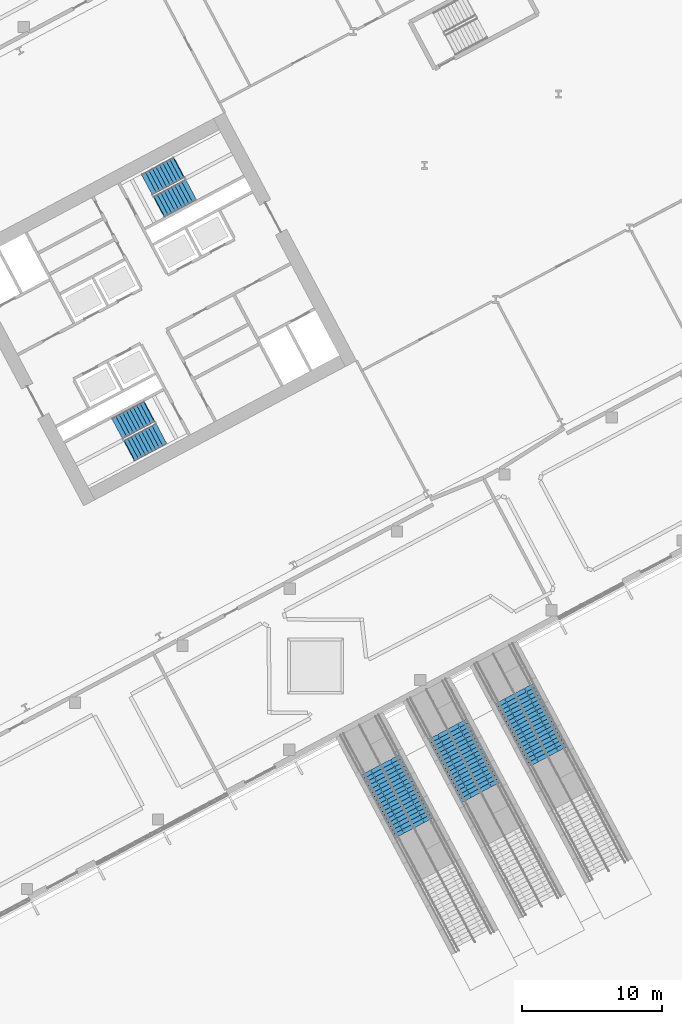
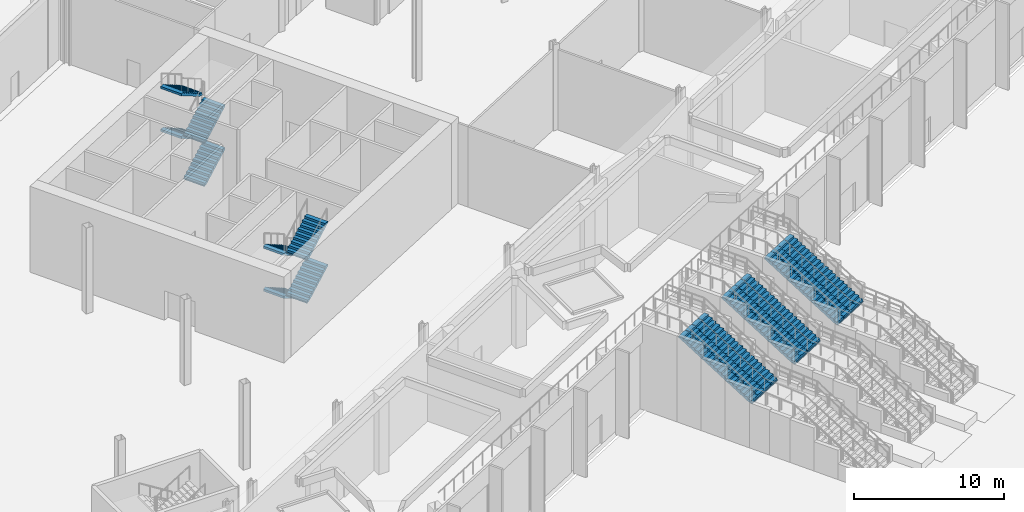
# One storey, part 35 of 57: 11 stair flights, 5 elements without a shape of their own.
"""IFC4 building model written with IfcOpenShell, lengths in metres."""

from ifc_helpers import new_model, si_unit, direction, frame, origin, place, context, subcontext, project, spatial, polyline, outline, extrude, material, layer, layer_set, type_object, element, aggregate, save


model = new_model("IFC4")

# Units and contexts
model_context = context("Model", 3, precision=1e-05, world=origin(), true_north=direction((0.0, 1.0)))
body_context = subcontext(model_context, "Body", "Model", "MODEL_VIEW")
ifc_project = project(units=[si_unit("LENGTHUNIT", "METRE"), si_unit("AREAUNIT", "SQUARE_METRE"), si_unit("VOLUMEUNIT", "CUBIC_METRE"), si_unit("PLANEANGLEUNIT", "RADIAN"), si_unit("MASSUNIT", "GRAM", prefix="KILO")], contexts=[model_context])

# Site, building, storey
site_placement = place(None, origin())
site = spatial("IfcSite", under=ifc_project, at=site_placement, CompositionType="ELEMENT")
building_placement = place(site_placement, origin())
building = spatial("IfcBuilding", under=site, at=building_placement, Name="Cormorant Relay Tower", CompositionType="ELEMENT")
storey_placement = place(building_placement, origin())
storey = spatial("IfcBuildingStorey", under=building, at=storey_placement, Name="L00", CompositionType="ELEMENT", Elevation=0.0)

# Stair, stair flights
ifc_material_1 = material(Name="Concrete 40 MPa", Category="concrete")
stair_type_1 = type_object("IfcStairType", Name="Exit stair 1500", PredefinedType="HALF_TURN_STAIR", material=ifc_material_1)
stair_1_placement = place(storey_placement, origin())
stair_1 = element("IfcStair", 1, at=stair_1_placement, inside=storey, type_object=stair_type_1, Name="L00 Stair", PredefinedType="HALF_TURN_STAIR")
ifc_material_2 = material(Name="Concrete 40 MPa", Category="concrete")
stair_flight_type_1 = type_object("IfcStairFlightType", Name="Exit stair flight 1650", PredefinedType="STRAIGHT", material=ifc_material_2)
stair_flight_1_placement = place(storey_placement, frame((23.474365234375, 5.374755859375, 0.0), z_axis=(0.0, 0.0, 1.0), x_axis=(-0.882947592859, -0.469471562786, 0.0)))
stair_flight_1 = element("IfcStairFlight", 2, at=stair_flight_1_placement, type_object=stair_flight_type_1, Name="B1 flight 1", NumberOfRisers=10, NumberOfTreads=9, PredefinedType="STRAIGHT", RiserHeight=0.175, TreadLength=0.28, context=body_context, shape_type="SweptSolid", body=[
    extrude(outline(polyline([(-0.050048828125, -0.080078125), (-0.050048828125, 0.0), (0.0, 0.0), (0.0, 0.175048828125), (0.280029296875, 0.175048828125), (0.280029296875, 0.35009765625), (0.56005859375, 0.35009765625), (0.56005859375, 0.52490234375), (0.840087890625, 0.52490234375), (0.840087890625, 0.699951171875), (1.1201171875, 0.699951171875), (1.1201171875, 0.875), (1.39990234375, 0.875), (1.39990234375, 1.050048828125), (1.679931640625, 1.050048828125), (1.679931640625, 1.22509765625), (1.9599609375, 1.22509765625), (1.9599609375, 1.39990234375), (2.239990234375, 1.39990234375), (2.239990234375, 1.574951171875), (2.52001953125, 1.574951171875), (2.570068359375, 1.574951171875), (2.570068359375, 1.398193359375), (2.52001953125, 1.398193359375), (0.28271484375, 0.0), (-0.050048828125, -0.080078125)])), frame((0.0, 0.824951171875, 0.0), z_axis=(0.0, -1.0, 0.0), x_axis=(1.0, 0.0, 0.0)), (0.0, 0.0, 1.0), 1.64990234375),
])
stair_flight_2_placement = place(storey_placement, frame((22.094482421875, 2.602294921875, 1.75), z_axis=(0.0, 0.0, 1.0), x_axis=(0.882947592859, 0.469471562786, 0.0)))
stair_flight_2 = element("IfcStairFlight", 3, at=stair_flight_2_placement, type_object=stair_flight_type_1, Name="B1 flight 2", NumberOfRisers=10, NumberOfTreads=9, PredefinedType="STRAIGHT", RiserHeight=0.175, TreadLength=0.28, context=body_context, shape_type="SweptSolid", body=[
    extrude(outline(polyline([(-0.050048828125, -0.080078125), (-0.050048828125, 0.0), (0.0, 0.0), (0.0, 0.175048828125), (0.280029296875, 0.175048828125), (0.280029296875, 0.35009765625), (0.56005859375, 0.35009765625), (0.56005859375, 0.52490234375), (0.840087890625, 0.52490234375), (0.840087890625, 0.699951171875), (1.1201171875, 0.699951171875), (1.1201171875, 0.875), (1.39990234375, 0.875), (1.39990234375, 1.050048828125), (1.679931640625, 1.050048828125), (1.679931640625, 1.22509765625), (1.9599609375, 1.22509765625), (1.9599609375, 1.39990234375), (2.239990234375, 1.39990234375), (2.239990234375, 1.574951171875), (2.52001953125, 1.574951171875), (2.570068359375, 1.574951171875), (2.570068359375, 1.398193359375), (2.52001953125, 1.398193359375), (0.28271484375, 0.0), (-0.050048828125, -0.080078125)])), frame((0.0, 0.824951171875, 0.0), z_axis=(0.0, -1.0, 0.0), x_axis=(1.0, 0.0, 0.0)), (0.0, 0.0, 1.0), 1.64990234375),
])
stair_flight_3_placement = place(storey_placement, frame((23.474365234375, 5.374755859375, 3.5), z_axis=(0.0, 0.0, 1.0), x_axis=(-0.882947592859, -0.469471562786, 0.0)))
stair_flight_3 = element("IfcStairFlight", 4, at=stair_flight_3_placement, type_object=stair_flight_type_1, Name="B1 flight 3", NumberOfRisers=10, NumberOfTreads=9, PredefinedType="STRAIGHT", RiserHeight=0.175, TreadLength=0.28, context=body_context, shape_type="SweptSolid", body=[
    extrude(outline(polyline([(-0.050048828125, -0.080078125), (-0.050048828125, 0.0), (0.0, 0.0), (0.0, 0.175048828125), (0.280029296875, 0.175048828125), (0.280029296875, 0.35009765625), (0.56005859375, 0.35009765625), (0.56005859375, 0.52490234375), (0.840087890625, 0.52490234375), (0.840087890625, 0.699951171875), (1.1201171875, 0.699951171875), (1.1201171875, 0.875), (1.39990234375, 0.875), (1.39990234375, 1.050048828125), (1.679931640625, 1.050048828125), (1.679931640625, 1.22509765625), (1.9599609375, 1.22509765625), (1.9599609375, 1.39990234375), (2.239990234375, 1.39990234375), (2.239990234375, 1.574951171875), (2.52001953125, 1.574951171875), (2.570068359375, 1.574951171875), (2.570068359375, 1.398193359375), (2.52001953125, 1.398193359375), (0.28271484375, 0.0), (-0.050048828125, -0.080078125)])), frame((0.0, 0.824951171875, 0.0), z_axis=(0.0, -1.0, 0.0), x_axis=(1.0, 0.0, 0.0)), (0.0, 0.0, 1.0), 1.64990234375),
])
stair_flight_4_placement = place(storey_placement, frame((22.094482421875, 2.602294921875, 5.25), z_axis=(0.0, 0.0, 1.0), x_axis=(0.882947592859, 0.469471562786, 0.0)))
stair_flight_4 = element("IfcStairFlight", 5, at=stair_flight_4_placement, type_object=stair_flight_type_1, Name="B1 flight 4", NumberOfRisers=10, NumberOfTreads=9, PredefinedType="STRAIGHT", RiserHeight=0.175, TreadLength=0.28, context=body_context, shape_type="SweptSolid", body=[
    extrude(outline(polyline([(-0.050048828125, -0.080078125), (-0.050048828125, 0.0), (0.0, 0.0), (0.0, 0.175048828125), (0.280029296875, 0.175048828125), (0.280029296875, 0.35009765625), (0.56005859375, 0.35009765625), (0.56005859375, 0.52490234375), (0.840087890625, 0.52490234375), (0.840087890625, 0.699951171875), (1.1201171875, 0.699951171875), (1.1201171875, 0.875), (1.39990234375, 0.875), (1.39990234375, 1.050048828125), (1.679931640625, 1.050048828125), (1.679931640625, 1.22509765625), (1.9599609375, 1.22509765625), (1.9599609375, 1.39990234375), (2.239990234375, 1.39990234375), (2.239990234375, 1.574951171875), (2.52001953125, 1.574951171875), (2.570068359375, 1.574951171875), (2.570068359375, 1.398193359375), (2.52001953125, 1.398193359375), (0.28271484375, 0.0), (-0.050048828125, -0.080078125)])), frame((0.0, 0.824951171875, 0.0), z_axis=(0.0, -1.0, 0.0), x_axis=(1.0, 0.0, 0.0)), (0.0, 0.0, 1.0), 1.64990234375),
])
aggregate(stair_1, [stair_flight_1, stair_flight_2, stair_flight_3, stair_flight_4])

stair_2_placement = place(storey_placement, origin())
stair_2 = element("IfcStair", 6, at=stair_2_placement, inside=storey, type_object=stair_type_1, Name="L00 Stair", PredefinedType="HALF_TURN_STAIR")
stair_flight_5_placement = place(storey_placement, frame((24.20458984375, 19.976806640625, 0.0), z_axis=(0.0, 0.0, 1.0), x_axis=(0.882947592859, 0.469471562786, 0.0)))
stair_flight_5 = element("IfcStairFlight", 7, at=stair_flight_5_placement, type_object=stair_flight_type_1, Name="B2 flight 1", NumberOfRisers=10, NumberOfTreads=9, PredefinedType="STRAIGHT", RiserHeight=0.175, TreadLength=0.28, context=body_context, shape_type="SweptSolid", body=[
    extrude(outline(polyline([(-0.050048828125, -0.080078125), (-0.050048828125, 0.0), (0.0, 0.0), (0.0, 0.175048828125), (0.280029296875, 0.175048828125), (0.280029296875, 0.35009765625), (0.56005859375, 0.35009765625), (0.56005859375, 0.52490234375), (0.840087890625, 0.52490234375), (0.840087890625, 0.699951171875), (1.1201171875, 0.699951171875), (1.1201171875, 0.875), (1.39990234375, 0.875), (1.39990234375, 1.050048828125), (1.679931640625, 1.050048828125), (1.679931640625, 1.22509765625), (1.9599609375, 1.22509765625), (1.9599609375, 1.39990234375), (2.239990234375, 1.39990234375), (2.239990234375, 1.574951171875), (2.52001953125, 1.574951171875), (2.570068359375, 1.574951171875), (2.570068359375, 1.398193359375), (2.52001953125, 1.398193359375), (0.28271484375, 0.0), (-0.050048828125, -0.080078125)])), frame((0.0, 0.824951171875, 0.0), z_axis=(0.0, -1.0, 0.0), x_axis=(1.0, 0.0, 0.0)), (0.0, 0.0, 1.0), 1.64990234375),
])
stair_flight_6_placement = place(storey_placement, frame((25.584716796875, 22.7490234375, 1.75), z_axis=(0.0, 0.0, 1.0), x_axis=(-0.882947592859, -0.469471562786, 0.0)))
stair_flight_6 = element("IfcStairFlight", 8, at=stair_flight_6_placement, type_object=stair_flight_type_1, Name="B2 flight 2", NumberOfRisers=10, NumberOfTreads=9, PredefinedType="STRAIGHT", RiserHeight=0.175, TreadLength=0.28, context=body_context, shape_type="SweptSolid", body=[
    extrude(outline(polyline([(-0.050048828125, -0.080078125), (-0.050048828125, 0.0), (0.0, 0.0), (0.0, 0.175048828125), (0.280029296875, 0.175048828125), (0.280029296875, 0.35009765625), (0.56005859375, 0.35009765625), (0.56005859375, 0.52490234375), (0.840087890625, 0.52490234375), (0.840087890625, 0.699951171875), (1.1201171875, 0.699951171875), (1.1201171875, 0.875), (1.39990234375, 0.875), (1.39990234375, 1.050048828125), (1.679931640625, 1.050048828125), (1.679931640625, 1.22509765625), (1.9599609375, 1.22509765625), (1.9599609375, 1.39990234375), (2.239990234375, 1.39990234375), (2.239990234375, 1.574951171875), (2.52001953125, 1.574951171875), (2.570068359375, 1.574951171875), (2.570068359375, 1.398193359375), (2.52001953125, 1.398193359375), (0.28271484375, 0.0), (-0.050048828125, -0.080078125)])), frame((0.0, 0.824951171875, 0.0), z_axis=(0.0, -1.0, 0.0), x_axis=(1.0, 0.0, 0.0)), (0.0, 0.0, 1.0), 1.64990234375),
])
stair_flight_7_placement = place(storey_placement, frame((24.20458984375, 19.976806640625, 3.5), z_axis=(0.0, 0.0, 1.0), x_axis=(0.882947592859, 0.469471562786, 0.0)))
stair_flight_7 = element("IfcStairFlight", 9, at=stair_flight_7_placement, type_object=stair_flight_type_1, Name="B2 flight 3", NumberOfRisers=10, NumberOfTreads=9, PredefinedType="STRAIGHT", RiserHeight=0.175, TreadLength=0.28, context=body_context, shape_type="SweptSolid", body=[
    extrude(outline(polyline([(-0.050048828125, -0.080078125), (-0.050048828125, 0.0), (0.0, 0.0), (0.0, 0.175048828125), (0.280029296875, 0.175048828125), (0.280029296875, 0.35009765625), (0.56005859375, 0.35009765625), (0.56005859375, 0.52490234375), (0.840087890625, 0.52490234375), (0.840087890625, 0.699951171875), (1.1201171875, 0.699951171875), (1.1201171875, 0.875), (1.39990234375, 0.875), (1.39990234375, 1.050048828125), (1.679931640625, 1.050048828125), (1.679931640625, 1.22509765625), (1.9599609375, 1.22509765625), (1.9599609375, 1.39990234375), (2.239990234375, 1.39990234375), (2.239990234375, 1.574951171875), (2.52001953125, 1.574951171875), (2.570068359375, 1.574951171875), (2.570068359375, 1.398193359375), (2.52001953125, 1.398193359375), (0.28271484375, 0.0), (-0.050048828125, -0.080078125)])), frame((0.0, 0.824951171875, 0.0), z_axis=(0.0, -1.0, 0.0), x_axis=(1.0, 0.0, 0.0)), (0.0, 0.0, 1.0), 1.64990234375),
])
stair_flight_8_placement = place(storey_placement, frame((25.584716796875, 22.7490234375, 5.25), z_axis=(0.0, 0.0, 1.0), x_axis=(-0.882947592859, -0.469471562786, 0.0)))
stair_flight_8 = element("IfcStairFlight", 10, at=stair_flight_8_placement, type_object=stair_flight_type_1, Name="B2 flight 4", NumberOfRisers=10, NumberOfTreads=9, PredefinedType="STRAIGHT", RiserHeight=0.175, TreadLength=0.28, context=body_context, shape_type="SweptSolid", body=[
    extrude(outline(polyline([(-0.050048828125, -0.080078125), (-0.050048828125, 0.0), (0.0, 0.0), (0.0, 0.175048828125), (0.280029296875, 0.175048828125), (0.280029296875, 0.35009765625), (0.56005859375, 0.35009765625), (0.56005859375, 0.52490234375), (0.840087890625, 0.52490234375), (0.840087890625, 0.699951171875), (1.1201171875, 0.699951171875), (1.1201171875, 0.875), (1.39990234375, 0.875), (1.39990234375, 1.050048828125), (1.679931640625, 1.050048828125), (1.679931640625, 1.22509765625), (1.9599609375, 1.22509765625), (1.9599609375, 1.39990234375), (2.239990234375, 1.39990234375), (2.239990234375, 1.574951171875), (2.52001953125, 1.574951171875), (2.570068359375, 1.574951171875), (2.570068359375, 1.398193359375), (2.52001953125, 1.398193359375), (0.28271484375, 0.0), (-0.050048828125, -0.080078125)])), frame((0.0, 0.824951171875, 0.0), z_axis=(0.0, -1.0, 0.0), x_axis=(1.0, 0.0, 0.0)), (0.0, 0.0, 1.0), 1.64990234375),
])
aggregate(stair_2, [stair_flight_5, stair_flight_6, stair_flight_7, stair_flight_8])

# Stair, stair flight
ifc_material_3 = material(Name="Concrete 40 MPa", Category="concrete")
stair_type_2 = type_object("IfcStairType", Name="Street stair 3200", PredefinedType="STRAIGHT_RUN_STAIR", material=ifc_material_3)
stair_3_placement = place(storey_placement, origin())
stair_3 = element("IfcStair", 11, at=stair_3_placement, inside=storey, type_object=stair_type_2, Name="Street stair 1A", PredefinedType="STRAIGHT_RUN_STAIR")
ifc_material_4 = material(Name="Concrete 40 MPa", Category="concrete")
ifc_layer = layer(ifc_material_4, 0.199951171875)
ifc_layer_set = layer_set([ifc_layer], Name="Street stair flight")
stair_flight_type_2 = type_object("IfcStairFlightType", Name="Street stair flight", PredefinedType="STRAIGHT", material=ifc_layer_set)
stair_flight_9_placement = place(storey_placement, frame((42.4921875, -24.521484375, 3.5), z_axis=(0.0, 0.0, 1.0), x_axis=(-0.469471562786, 0.882947592859, 0.0)))
stair_flight_9 = element("IfcStairFlight", 12, at=stair_flight_9_placement, type_object=stair_flight_type_2, Name="PST1 flight 1", NumberOfRisers=20, NumberOfTreads=19, PredefinedType="STRAIGHT", RiserHeight=0.175, TreadLength=0.3, context=body_context, shape_type="SweptSolid", body=[
    extrude(outline(polyline([(-0.050048828125, -0.080078125), (-0.050048828125, 0.0), (0.0, 0.0), (0.0, 0.175048828125), (0.300048828125, 0.175048828125), (0.300048828125, 0.35009765625), (0.60009765625, 0.35009765625), (0.60009765625, 0.52490234375), (0.89990234375, 0.52490234375), (0.89990234375, 0.699951171875), (1.199951171875, 0.699951171875), (1.199951171875, 0.875), (1.5, 0.875), (1.5, 1.050048828125), (1.800048828125, 1.050048828125), (1.800048828125, 1.22509765625), (2.10009765625, 1.22509765625), (2.10009765625, 1.39990234375), (2.39990234375, 1.39990234375), (2.39990234375, 1.574951171875), (2.699951171875, 1.574951171875), (2.699951171875, 1.75), (3.0, 1.75), (3.0, 1.925048828125), (3.300048828125, 1.925048828125), (3.300048828125, 2.10009765625), (3.60009765625, 2.10009765625), (3.60009765625, 2.27490234375), (3.89990234375, 2.27490234375), (3.89990234375, 2.449951171875), (4.199951171875, 2.449951171875), (4.199951171875, 2.625), (4.5, 2.625), (4.5, 2.800048828125), (4.800048828125, 2.800048828125), (4.800048828125, 2.97509765625), (5.10009765625, 2.97509765625), (5.10009765625, 3.14990234375), (5.39990234375, 3.14990234375), (5.39990234375, 3.324951171875), (5.699951171875, 3.324951171875), (5.75, 3.324951171875), (5.75, 3.1513671875), (5.699951171875, 3.1513671875), (0.297607421875, 0.0), (-0.050048828125, -0.080078125)])), frame((0.0, 1.60009765625, 0.0), z_axis=(0.0, -1.0, 0.0), x_axis=(1.0, 0.0, 0.0)), (0.0, 0.0, 1.0), 0.784912109375),
    extrude(outline(polyline([(-0.050048828125, -0.080078125), (-0.050048828125, 0.0), (0.0, 0.0), (0.0, 0.175048828125), (0.300048828125, 0.175048828125), (0.300048828125, 0.35009765625), (0.60009765625, 0.35009765625), (0.60009765625, 0.52490234375), (0.89990234375, 0.52490234375), (0.89990234375, 0.699951171875), (1.199951171875, 0.699951171875), (1.199951171875, 0.875), (1.5, 0.875), (1.5, 1.050048828125), (1.800048828125, 1.050048828125), (1.800048828125, 1.22509765625), (2.10009765625, 1.22509765625), (2.10009765625, 1.39990234375), (2.39990234375, 1.39990234375), (2.39990234375, 1.574951171875), (2.699951171875, 1.574951171875), (2.699951171875, 1.75), (3.0, 1.75), (3.0, 1.925048828125), (3.300048828125, 1.925048828125), (3.300048828125, 2.10009765625), (3.60009765625, 2.10009765625), (3.60009765625, 2.27490234375), (3.89990234375, 2.27490234375), (3.89990234375, 2.449951171875), (4.199951171875, 2.449951171875), (4.199951171875, 2.625), (4.5, 2.625), (4.5, 2.800048828125), (4.800048828125, 2.800048828125), (4.800048828125, 2.97509765625), (5.10009765625, 2.97509765625), (5.10009765625, 3.14990234375), (5.39990234375, 3.14990234375), (5.39990234375, 3.324951171875), (5.699951171875, 3.324951171875), (5.75, 3.324951171875), (5.75, 3.1513671875), (5.699951171875, 3.1513671875), (0.297607421875, 0.0), (-0.050048828125, -0.080078125)])), frame((0.0, 0.795166015625, 0.0), z_axis=(0.0, -1.0, 0.0), x_axis=(1.0, 0.0, 0.0)), (0.0, 0.0, 1.0), 0.784912109375),
    extrude(outline(polyline([(-0.050048828125, -0.080078125), (-0.050048828125, 0.0), (0.0, 0.0), (0.0, 0.175048828125), (0.300048828125, 0.175048828125), (0.300048828125, 0.35009765625), (0.60009765625, 0.35009765625), (0.60009765625, 0.52490234375), (0.89990234375, 0.52490234375), (0.89990234375, 0.699951171875), (1.199951171875, 0.699951171875), (1.199951171875, 0.875), (1.5, 0.875), (1.5, 1.050048828125), (1.800048828125, 1.050048828125), (1.800048828125, 1.22509765625), (2.10009765625, 1.22509765625), (2.10009765625, 1.39990234375), (2.39990234375, 1.39990234375), (2.39990234375, 1.574951171875), (2.699951171875, 1.574951171875), (2.699951171875, 1.75), (3.0, 1.75), (3.0, 1.925048828125), (3.300048828125, 1.925048828125), (3.300048828125, 2.10009765625), (3.60009765625, 2.10009765625), (3.60009765625, 2.27490234375), (3.89990234375, 2.27490234375), (3.89990234375, 2.449951171875), (4.199951171875, 2.449951171875), (4.199951171875, 2.625), (4.5, 2.625), (4.5, 2.800048828125), (4.800048828125, 2.800048828125), (4.800048828125, 2.97509765625), (5.10009765625, 2.97509765625), (5.10009765625, 3.14990234375), (5.39990234375, 3.14990234375), (5.39990234375, 3.324951171875), (5.699951171875, 3.324951171875), (5.75, 3.324951171875), (5.75, 3.1513671875), (5.699951171875, 3.1513671875), (0.297607421875, 0.0), (-0.050048828125, -0.080078125)])), frame((0.0, -0.009765625, 0.0), z_axis=(0.0, -1.0, 0.0), x_axis=(1.0, 0.0, 0.0)), (0.0, 0.0, 1.0), 0.784912109375),
    extrude(outline(polyline([(-0.050048828125, -0.080078125), (-0.050048828125, 0.0), (0.0, 0.0), (0.0, 0.175048828125), (0.300048828125, 0.175048828125), (0.300048828125, 0.35009765625), (0.60009765625, 0.35009765625), (0.60009765625, 0.52490234375), (0.89990234375, 0.52490234375), (0.89990234375, 0.699951171875), (1.199951171875, 0.699951171875), (1.199951171875, 0.875), (1.5, 0.875), (1.5, 1.050048828125), (1.800048828125, 1.050048828125), (1.800048828125, 1.22509765625), (2.10009765625, 1.22509765625), (2.10009765625, 1.39990234375), (2.39990234375, 1.39990234375), (2.39990234375, 1.574951171875), (2.699951171875, 1.574951171875), (2.699951171875, 1.75), (3.0, 1.75), (3.0, 1.925048828125), (3.300048828125, 1.925048828125), (3.300048828125, 2.10009765625), (3.60009765625, 2.10009765625), (3.60009765625, 2.27490234375), (3.89990234375, 2.27490234375), (3.89990234375, 2.449951171875), (4.199951171875, 2.449951171875), (4.199951171875, 2.625), (4.5, 2.625), (4.5, 2.800048828125), (4.800048828125, 2.800048828125), (4.800048828125, 2.97509765625), (5.10009765625, 2.97509765625), (5.10009765625, 3.14990234375), (5.39990234375, 3.14990234375), (5.39990234375, 3.324951171875), (5.699951171875, 3.324951171875), (5.75, 3.324951171875), (5.75, 3.1513671875), (5.699951171875, 3.1513671875), (0.297607421875, 0.0), (-0.050048828125, -0.080078125)])), frame((0.0, -0.814697265625, 0.0), z_axis=(0.0, -1.0, 0.0), x_axis=(1.0, 0.0, 0.0)), (0.0, 0.0, 1.0), 0.784912109375),
])
aggregate(stair_3, [stair_flight_9])

stair_4_placement = place(storey_placement, origin())
stair_4 = element("IfcStair", 13, at=stair_4_placement, inside=storey, type_object=stair_type_2, Name="Street stair 1B", PredefinedType="STRAIGHT_RUN_STAIR")
stair_flight_10_placement = place(storey_placement, frame((47.26025390625, -21.986083984375, 3.5), z_axis=(0.0, 0.0, 1.0), x_axis=(-0.469471562786, 0.882947592859, 0.0)))
stair_flight_10 = element("IfcStairFlight", 14, at=stair_flight_10_placement, type_object=stair_flight_type_2, Name="PST1 flight 1", NumberOfRisers=20, NumberOfTreads=19, PredefinedType="STRAIGHT", RiserHeight=0.175, TreadLength=0.3, context=body_context, shape_type="SweptSolid", body=[
    extrude(outline(polyline([(-0.050048828125, -0.080078125), (-0.050048828125, 0.0), (0.0, 0.0), (0.0, 0.175048828125), (0.300048828125, 0.175048828125), (0.300048828125, 0.35009765625), (0.60009765625, 0.35009765625), (0.60009765625, 0.52490234375), (0.89990234375, 0.52490234375), (0.89990234375, 0.699951171875), (1.199951171875, 0.699951171875), (1.199951171875, 0.875), (1.5, 0.875), (1.5, 1.050048828125), (1.800048828125, 1.050048828125), (1.800048828125, 1.22509765625), (2.10009765625, 1.22509765625), (2.10009765625, 1.39990234375), (2.39990234375, 1.39990234375), (2.39990234375, 1.574951171875), (2.699951171875, 1.574951171875), (2.699951171875, 1.75), (3.0, 1.75), (3.0, 1.925048828125), (3.300048828125, 1.925048828125), (3.300048828125, 2.10009765625), (3.60009765625, 2.10009765625), (3.60009765625, 2.27490234375), (3.89990234375, 2.27490234375), (3.89990234375, 2.449951171875), (4.199951171875, 2.449951171875), (4.199951171875, 2.625), (4.5, 2.625), (4.5, 2.800048828125), (4.800048828125, 2.800048828125), (4.800048828125, 2.97509765625), (5.10009765625, 2.97509765625), (5.10009765625, 3.14990234375), (5.39990234375, 3.14990234375), (5.39990234375, 3.324951171875), (5.699951171875, 3.324951171875), (5.75, 3.324951171875), (5.75, 3.1513671875), (5.699951171875, 3.1513671875), (0.297607421875, 0.0), (-0.050048828125, -0.080078125)])), frame((0.0, 1.60009765625, 0.0), z_axis=(0.0, -1.0, 0.0), x_axis=(1.0, 0.0, 0.0)), (0.0, 0.0, 1.0), 0.784912109375),
    extrude(outline(polyline([(-0.050048828125, -0.080078125), (-0.050048828125, 0.0), (0.0, 0.0), (0.0, 0.175048828125), (0.300048828125, 0.175048828125), (0.300048828125, 0.35009765625), (0.60009765625, 0.35009765625), (0.60009765625, 0.52490234375), (0.89990234375, 0.52490234375), (0.89990234375, 0.699951171875), (1.199951171875, 0.699951171875), (1.199951171875, 0.875), (1.5, 0.875), (1.5, 1.050048828125), (1.800048828125, 1.050048828125), (1.800048828125, 1.22509765625), (2.10009765625, 1.22509765625), (2.10009765625, 1.39990234375), (2.39990234375, 1.39990234375), (2.39990234375, 1.574951171875), (2.699951171875, 1.574951171875), (2.699951171875, 1.75), (3.0, 1.75), (3.0, 1.925048828125), (3.300048828125, 1.925048828125), (3.300048828125, 2.10009765625), (3.60009765625, 2.10009765625), (3.60009765625, 2.27490234375), (3.89990234375, 2.27490234375), (3.89990234375, 2.449951171875), (4.199951171875, 2.449951171875), (4.199951171875, 2.625), (4.5, 2.625), (4.5, 2.800048828125), (4.800048828125, 2.800048828125), (4.800048828125, 2.97509765625), (5.10009765625, 2.97509765625), (5.10009765625, 3.14990234375), (5.39990234375, 3.14990234375), (5.39990234375, 3.324951171875), (5.699951171875, 3.324951171875), (5.75, 3.324951171875), (5.75, 3.1513671875), (5.699951171875, 3.1513671875), (0.297607421875, 0.0), (-0.050048828125, -0.080078125)])), frame((0.0, 0.795166015625, 0.0), z_axis=(0.0, -1.0, 0.0), x_axis=(1.0, 0.0, 0.0)), (0.0, 0.0, 1.0), 0.784912109375),
    extrude(outline(polyline([(-0.050048828125, -0.080078125), (-0.050048828125, 0.0), (0.0, 0.0), (0.0, 0.175048828125), (0.300048828125, 0.175048828125), (0.300048828125, 0.35009765625), (0.60009765625, 0.35009765625), (0.60009765625, 0.52490234375), (0.89990234375, 0.52490234375), (0.89990234375, 0.699951171875), (1.199951171875, 0.699951171875), (1.199951171875, 0.875), (1.5, 0.875), (1.5, 1.050048828125), (1.800048828125, 1.050048828125), (1.800048828125, 1.22509765625), (2.10009765625, 1.22509765625), (2.10009765625, 1.39990234375), (2.39990234375, 1.39990234375), (2.39990234375, 1.574951171875), (2.699951171875, 1.574951171875), (2.699951171875, 1.75), (3.0, 1.75), (3.0, 1.925048828125), (3.300048828125, 1.925048828125), (3.300048828125, 2.10009765625), (3.60009765625, 2.10009765625), (3.60009765625, 2.27490234375), (3.89990234375, 2.27490234375), (3.89990234375, 2.449951171875), (4.199951171875, 2.449951171875), (4.199951171875, 2.625), (4.5, 2.625), (4.5, 2.800048828125), (4.800048828125, 2.800048828125), (4.800048828125, 2.97509765625), (5.10009765625, 2.97509765625), (5.10009765625, 3.14990234375), (5.39990234375, 3.14990234375), (5.39990234375, 3.324951171875), (5.699951171875, 3.324951171875), (5.75, 3.324951171875), (5.75, 3.1513671875), (5.699951171875, 3.1513671875), (0.297607421875, 0.0), (-0.050048828125, -0.080078125)])), frame((0.0, -0.009765625, 0.0), z_axis=(0.0, -1.0, 0.0), x_axis=(1.0, 0.0, 0.0)), (0.0, 0.0, 1.0), 0.784912109375),
    extrude(outline(polyline([(-0.050048828125, -0.080078125), (-0.050048828125, 0.0), (0.0, 0.0), (0.0, 0.175048828125), (0.300048828125, 0.175048828125), (0.300048828125, 0.35009765625), (0.60009765625, 0.35009765625), (0.60009765625, 0.52490234375), (0.89990234375, 0.52490234375), (0.89990234375, 0.699951171875), (1.199951171875, 0.699951171875), (1.199951171875, 0.875), (1.5, 0.875), (1.5, 1.050048828125), (1.800048828125, 1.050048828125), (1.800048828125, 1.22509765625), (2.10009765625, 1.22509765625), (2.10009765625, 1.39990234375), (2.39990234375, 1.39990234375), (2.39990234375, 1.574951171875), (2.699951171875, 1.574951171875), (2.699951171875, 1.75), (3.0, 1.75), (3.0, 1.925048828125), (3.300048828125, 1.925048828125), (3.300048828125, 2.10009765625), (3.60009765625, 2.10009765625), (3.60009765625, 2.27490234375), (3.89990234375, 2.27490234375), (3.89990234375, 2.449951171875), (4.199951171875, 2.449951171875), (4.199951171875, 2.625), (4.5, 2.625), (4.5, 2.800048828125), (4.800048828125, 2.800048828125), (4.800048828125, 2.97509765625), (5.10009765625, 2.97509765625), (5.10009765625, 3.14990234375), (5.39990234375, 3.14990234375), (5.39990234375, 3.324951171875), (5.699951171875, 3.324951171875), (5.75, 3.324951171875), (5.75, 3.1513671875), (5.699951171875, 3.1513671875), (0.297607421875, 0.0), (-0.050048828125, -0.080078125)])), frame((0.0, -0.814697265625, 0.0), z_axis=(0.0, -1.0, 0.0), x_axis=(1.0, 0.0, 0.0)), (0.0, 0.0, 1.0), 0.784912109375),
])
aggregate(stair_4, [stair_flight_10])

stair_5_placement = place(storey_placement, origin())
stair_5 = element("IfcStair", 15, at=stair_5_placement, inside=storey, type_object=stair_type_2, Name="Street stair 1C", PredefinedType="STRAIGHT_RUN_STAIR")
stair_flight_11_placement = place(storey_placement, frame((52.028076171875, -19.451171875, 3.5), z_axis=(0.0, 0.0, 1.0), x_axis=(-0.469471562786, 0.882947592859, 0.0)))
stair_flight_11 = element("IfcStairFlight", 16, at=stair_flight_11_placement, type_object=stair_flight_type_2, Name="PST1 flight 1", NumberOfRisers=20, NumberOfTreads=19, PredefinedType="STRAIGHT", RiserHeight=0.175, TreadLength=0.3, context=body_context, shape_type="SweptSolid", body=[
    extrude(outline(polyline([(-0.050048828125, -0.080078125), (-0.050048828125, 0.0), (0.0, 0.0), (0.0, 0.175048828125), (0.300048828125, 0.175048828125), (0.300048828125, 0.35009765625), (0.60009765625, 0.35009765625), (0.60009765625, 0.52490234375), (0.89990234375, 0.52490234375), (0.89990234375, 0.699951171875), (1.199951171875, 0.699951171875), (1.199951171875, 0.875), (1.5, 0.875), (1.5, 1.050048828125), (1.800048828125, 1.050048828125), (1.800048828125, 1.22509765625), (2.10009765625, 1.22509765625), (2.10009765625, 1.39990234375), (2.39990234375, 1.39990234375), (2.39990234375, 1.574951171875), (2.699951171875, 1.574951171875), (2.699951171875, 1.75), (3.0, 1.75), (3.0, 1.925048828125), (3.300048828125, 1.925048828125), (3.300048828125, 2.10009765625), (3.60009765625, 2.10009765625), (3.60009765625, 2.27490234375), (3.89990234375, 2.27490234375), (3.89990234375, 2.449951171875), (4.199951171875, 2.449951171875), (4.199951171875, 2.625), (4.5, 2.625), (4.5, 2.800048828125), (4.800048828125, 2.800048828125), (4.800048828125, 2.97509765625), (5.10009765625, 2.97509765625), (5.10009765625, 3.14990234375), (5.39990234375, 3.14990234375), (5.39990234375, 3.324951171875), (5.699951171875, 3.324951171875), (5.75, 3.324951171875), (5.75, 3.1513671875), (5.699951171875, 3.1513671875), (0.297607421875, 0.0), (-0.050048828125, -0.080078125)])), frame((0.0, 1.60009765625, 0.0), z_axis=(0.0, -1.0, 0.0), x_axis=(1.0, 0.0, 0.0)), (0.0, 0.0, 1.0), 0.784912109375),
    extrude(outline(polyline([(-0.050048828125, -0.080078125), (-0.050048828125, 0.0), (0.0, 0.0), (0.0, 0.175048828125), (0.300048828125, 0.175048828125), (0.300048828125, 0.35009765625), (0.60009765625, 0.35009765625), (0.60009765625, 0.52490234375), (0.89990234375, 0.52490234375), (0.89990234375, 0.699951171875), (1.199951171875, 0.699951171875), (1.199951171875, 0.875), (1.5, 0.875), (1.5, 1.050048828125), (1.800048828125, 1.050048828125), (1.800048828125, 1.22509765625), (2.10009765625, 1.22509765625), (2.10009765625, 1.39990234375), (2.39990234375, 1.39990234375), (2.39990234375, 1.574951171875), (2.699951171875, 1.574951171875), (2.699951171875, 1.75), (3.0, 1.75), (3.0, 1.925048828125), (3.300048828125, 1.925048828125), (3.300048828125, 2.10009765625), (3.60009765625, 2.10009765625), (3.60009765625, 2.27490234375), (3.89990234375, 2.27490234375), (3.89990234375, 2.449951171875), (4.199951171875, 2.449951171875), (4.199951171875, 2.625), (4.5, 2.625), (4.5, 2.800048828125), (4.800048828125, 2.800048828125), (4.800048828125, 2.97509765625), (5.10009765625, 2.97509765625), (5.10009765625, 3.14990234375), (5.39990234375, 3.14990234375), (5.39990234375, 3.324951171875), (5.699951171875, 3.324951171875), (5.75, 3.324951171875), (5.75, 3.1513671875), (5.699951171875, 3.1513671875), (0.297607421875, 0.0), (-0.050048828125, -0.080078125)])), frame((0.0, 0.795166015625, 0.0), z_axis=(0.0, -1.0, 0.0), x_axis=(1.0, 0.0, 0.0)), (0.0, 0.0, 1.0), 0.784912109375),
    extrude(outline(polyline([(-0.050048828125, -0.080078125), (-0.050048828125, 0.0), (0.0, 0.0), (0.0, 0.175048828125), (0.300048828125, 0.175048828125), (0.300048828125, 0.35009765625), (0.60009765625, 0.35009765625), (0.60009765625, 0.52490234375), (0.89990234375, 0.52490234375), (0.89990234375, 0.699951171875), (1.199951171875, 0.699951171875), (1.199951171875, 0.875), (1.5, 0.875), (1.5, 1.050048828125), (1.800048828125, 1.050048828125), (1.800048828125, 1.22509765625), (2.10009765625, 1.22509765625), (2.10009765625, 1.39990234375), (2.39990234375, 1.39990234375), (2.39990234375, 1.574951171875), (2.699951171875, 1.574951171875), (2.699951171875, 1.75), (3.0, 1.75), (3.0, 1.925048828125), (3.300048828125, 1.925048828125), (3.300048828125, 2.10009765625), (3.60009765625, 2.10009765625), (3.60009765625, 2.27490234375), (3.89990234375, 2.27490234375), (3.89990234375, 2.449951171875), (4.199951171875, 2.449951171875), (4.199951171875, 2.625), (4.5, 2.625), (4.5, 2.800048828125), (4.800048828125, 2.800048828125), (4.800048828125, 2.97509765625), (5.10009765625, 2.97509765625), (5.10009765625, 3.14990234375), (5.39990234375, 3.14990234375), (5.39990234375, 3.324951171875), (5.699951171875, 3.324951171875), (5.75, 3.324951171875), (5.75, 3.1513671875), (5.699951171875, 3.1513671875), (0.297607421875, 0.0), (-0.050048828125, -0.080078125)])), frame((0.0, -0.009765625, 0.0), z_axis=(0.0, -1.0, 0.0), x_axis=(1.0, 0.0, 0.0)), (0.0, 0.0, 1.0), 0.784912109375),
    extrude(outline(polyline([(-0.050048828125, -0.080078125), (-0.050048828125, 0.0), (0.0, 0.0), (0.0, 0.175048828125), (0.300048828125, 0.175048828125), (0.300048828125, 0.35009765625), (0.60009765625, 0.35009765625), (0.60009765625, 0.52490234375), (0.89990234375, 0.52490234375), (0.89990234375, 0.699951171875), (1.199951171875, 0.699951171875), (1.199951171875, 0.875), (1.5, 0.875), (1.5, 1.050048828125), (1.800048828125, 1.050048828125), (1.800048828125, 1.22509765625), (2.10009765625, 1.22509765625), (2.10009765625, 1.39990234375), (2.39990234375, 1.39990234375), (2.39990234375, 1.574951171875), (2.699951171875, 1.574951171875), (2.699951171875, 1.75), (3.0, 1.75), (3.0, 1.925048828125), (3.300048828125, 1.925048828125), (3.300048828125, 2.10009765625), (3.60009765625, 2.10009765625), (3.60009765625, 2.27490234375), (3.89990234375, 2.27490234375), (3.89990234375, 2.449951171875), (4.199951171875, 2.449951171875), (4.199951171875, 2.625), (4.5, 2.625), (4.5, 2.800048828125), (4.800048828125, 2.800048828125), (4.800048828125, 2.97509765625), (5.10009765625, 2.97509765625), (5.10009765625, 3.14990234375), (5.39990234375, 3.14990234375), (5.39990234375, 3.324951171875), (5.699951171875, 3.324951171875), (5.75, 3.324951171875), (5.75, 3.1513671875), (5.699951171875, 3.1513671875), (0.297607421875, 0.0), (-0.050048828125, -0.080078125)])), frame((0.0, -0.814697265625, 0.0), z_axis=(0.0, -1.0, 0.0), x_axis=(1.0, 0.0, 0.0)), (0.0, 0.0, 1.0), 0.784912109375),
])
aggregate(stair_5, [stair_flight_11])

save(model, "model.ifc")
